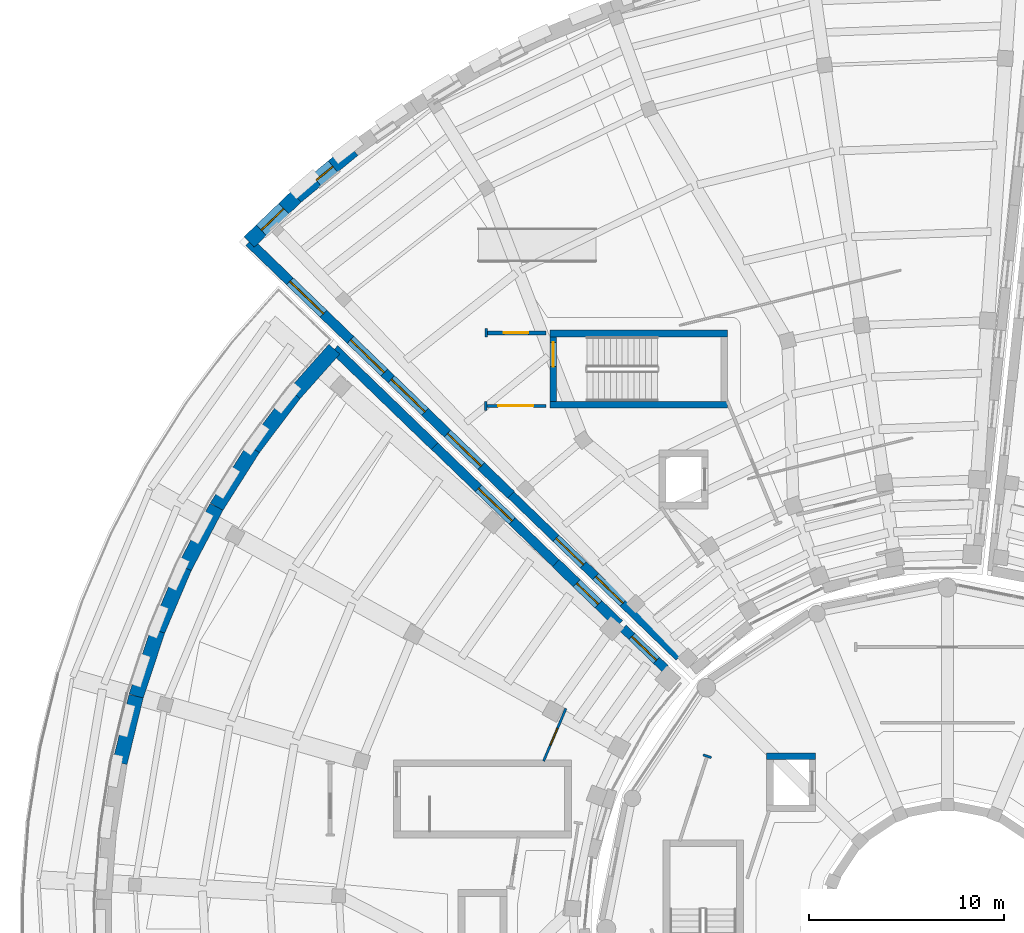
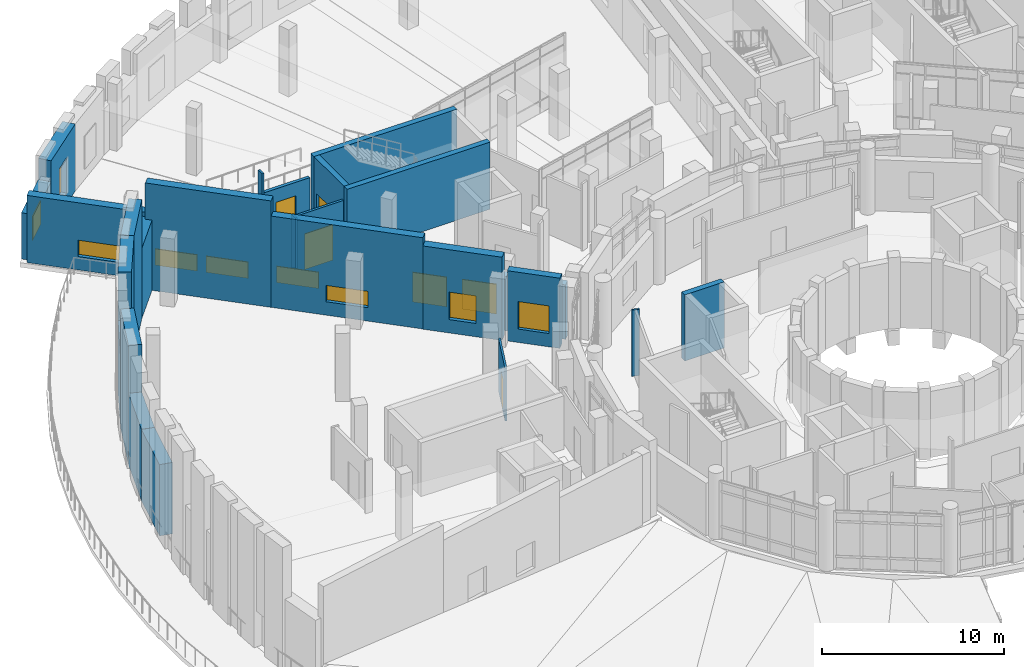
# One storey, part 54 of 75: 25 walls, 11 windows, 4 doors, 15 openings.
"""IFC4 building model written with IfcOpenShell, lengths in metres."""

from ifc_helpers import new_model, si_unit, direction, frame, frame_2d, origin, place, context, subcontext, project, spatial, rectangle, extrude, material, layer, layer_set, type_object, element, fill, save


model = new_model("IFC4")

# Units and contexts
model_context = context("Model", 3, precision=1e-05, world=origin(), true_north=direction((0.0, 1.0)))
body_context = subcontext(model_context, "Body", "Model", "MODEL_VIEW")
ifc_project = project(units=[si_unit("LENGTHUNIT", "METRE"), si_unit("AREAUNIT", "SQUARE_METRE"), si_unit("VOLUMEUNIT", "CUBIC_METRE"), si_unit("PLANEANGLEUNIT", "RADIAN"), si_unit("MASSUNIT", "GRAM", prefix="KILO")], contexts=[model_context])

# Site, building, storey
site_placement = place(None, origin())
site = spatial("IfcSite", under=ifc_project, at=site_placement, CompositionType="ELEMENT")
building_placement = place(site_placement, origin())
building = spatial("IfcBuilding", under=site, at=building_placement, Name="Soyqirgoq Riverine Aquarium", CompositionType="ELEMENT")
storey_placement = place(building_placement, frame((0.0, 0.0, 10.199951171875)))
storey = spatial("IfcBuildingStorey", under=building, at=storey_placement, Name="L03", CompositionType="ELEMENT", Elevation=10.199951171875)

# Walls
ifc_material_1 = material(Name="Concrete C40/50", Category="concrete")
ifc_layer_1 = layer(ifc_material_1, 0.35009765625)
ifc_layer_set_1 = layer_set([ifc_layer_1], Name="Concrete C40/50")
wall_type_1 = type_object("IfcWallType", Name="CoreShearWall_350_C40", PredefinedType="SHEAR", material=ifc_layer_set_1)
wall_1_placement = place(storey_placement, frame((49.2548828125, 65.830078125, 0.0), z_axis=(0.0, 0.0, 1.0), x_axis=(-1.0, 0.0, 0.0)))
element("IfcWall", 1, at=wall_1_placement, inside=storey, type_object=wall_type_1, Name="Lift PL-1 Shaft Wall L03 3", PredefinedType="SHEAR", context=body_context, shape_type="SweptSolid", body=[
    extrude(rectangle(XDim=2.509765625, YDim=0.35009765625, at=frame_2d((1.2548828125, 0.0))), origin(), (0.0, 0.0, 1.0), 4.449951171875),
])
for number, where, z_axis, x_axis, name in (
    (2, (35.64990234375, 83.824951171875, 0.0), (0.0, 0.0, 1.0), (1.0, 0.0, 0.0), "CORE-4 L03 Stair Core Shear Wall SIDE1"),
    (3, (44.75, 87.47509765625, 0.0), (0.0, 0.0, 1.0), (-1.0, 0.0, 0.0), "CORE-4 L03 Stair Core Shear Wall SIDE2"),
):
    element("IfcWall", number, at=place(storey_placement, frame(where, z_axis=z_axis, x_axis=x_axis)), inside=storey, type_object=wall_type_1, Name=name, PredefinedType="SHEAR", context=body_context, shape_type="SweptSolid", body=[
        extrude(rectangle(XDim=9.10009765625, YDim=0.35009765625, at=frame_2d((4.550048828125, 0.0))), origin(), (0.0, 0.0, 1.0), 4.52001953125),
    ])

# Wall, opening, door
wall_2_placement = place(storey_placement, frame((35.824951171875, 87.300048828125, 0.0), z_axis=(0.0, 0.0, 1.0), x_axis=(0.0, -1.0, 0.0)))
wall_2 = element("IfcWall", 4, at=wall_2_placement, inside=storey, type_object=wall_type_1, Name="CORE-4 L03 Stair Core Shear Wall FRONT", PredefinedType="SHEAR", context=body_context, shape_type="SweptSolid", body=[
    extrude(rectangle(XDim=3.300048828125, YDim=0.35009765625, at=frame_2d((1.64990234375, 0.0))), origin(), (0.0, 0.0, 1.0), 4.52001953125),
])
opening_1_placement = place(wall_2_placement, frame((0.280029296875, 0.0, 0.0)))
opening_1 = element("IfcOpeningElement", 5, at=opening_1_placement, cuts=wall_2, Name="Opening FD-01", PredefinedType="OPENING", context=body_context, shape_type="SweptSolid", body=[
    extrude(rectangle(XDim=1.25, YDim=2.199951171875, at=frame_2d((0.625, 1.10009765625))), frame((0.0, 0.18505859375, 0.0), z_axis=(0.0, -1.0, 0.0), x_axis=(1.0, 0.0, 0.0)), (0.0, 0.0, 1.0), 0.3701171875),
])
ifc_material_2 = material(Name="Galvanised steel fire-resisting stair door", Category="steel")
door_type_1 = type_object("IfcDoorType", Name="StairFireDoor_1250x2200_EI90", OperationType="NOTDEFINED", PredefinedType="DOOR", material=ifc_material_2)
door_1_placement = place(opening_1_placement, origin())
door_1 = element("IfcDoor", 6, at=door_1_placement, inside=storey, type_object=door_type_1, Name="DR-ST-4-L03 ST-4 L03 Fire-Rated Stairwell Door", OperationType="SINGLE_SWING_RIGHT", OverallHeight=2.199951171875, OverallWidth=1.25, PredefinedType="DOOR", context=body_context, shape_type="SweptSolid", body=[
    extrude(rectangle(XDim=1.25, YDim=2.199951171875, at=frame_2d((0.625, 1.10009765625))), frame((0.0, 0.02490234375, 0.0), z_axis=(0.0, -1.0, 0.0), x_axis=(1.0, 0.0, 0.0)), (0.0, 0.0, 1.0), 0.050048828125),
])
fill(opening_1, door_1)

# Wall
ifc_material_3 = material(Name="Lightweight steel-stud gypsum partition", Category="steel")
ifc_layer_2 = layer(ifc_material_3, 0.1201171875)
ifc_layer_set_2 = layer_set([ifc_layer_2], Name="Lightweight steel-stud gypsum partition")
wall_type_2 = type_object("IfcWallType", Name="PartitionWall_120_Std", PredefinedType="PARTITIONING", material=ifc_layer_set_2)
wall_3_placement = place(storey_placement, frame((43.916015625, 65.7646484375, 0.0), z_axis=(0.0, 0.0, 1.0), x_axis=(-0.951042223598, 0.309060979314, 0.0)))
element("IfcWall", 7, at=wall_3_placement, inside=storey, type_object=wall_type_2, Name="V1 L03 Jamb Return Pier", PredefinedType="PARTITIONING", context=body_context, shape_type="SweptSolid", body=[
    extrude(rectangle(XDim=0.43994140625, YDim=0.1201171875, at=frame_2d((0.219970703125, 0.0))), origin(), (0.0, 0.0, 1.0), 4.449951171875),
])

# Wall, opening, door
wall_4_placement = place(storey_placement, frame((36.47119140625, 68.27490234375, 0.0), z_axis=(0.0, 0.0, 1.0), x_axis=(-0.39080089657, -0.920475235539, 0.0)))
wall_4 = element("IfcWall", 8, at=wall_4_placement, inside=storey, type_object=wall_type_2, Name="V3 Gallery Circulation Corridor Partition Wall", PredefinedType="PARTITIONING", context=body_context, shape_type="SweptSolid", body=[
    extrude(rectangle(XDim=2.921875, YDim=0.1201171875, at=frame_2d((1.4609375, 0.0))), origin(), (0.0, 0.0, 1.0), 3.550048828125),
])
opening_2_placement = place(wall_4_placement, frame((1.094970703125, 0.0, 0.0)))
opening_2 = element("IfcOpeningElement", 9, at=opening_2_placement, cuts=wall_4, Name="Opening ID-06", PredefinedType="OPENING", context=body_context, shape_type="SweptSolid", body=[
    extrude(rectangle(XDim=0.949951171875, YDim=2.199951171875, at=frame_2d((0.47509765625, 1.10009765625))), frame((0.0, 0.070068359375, 0.0), z_axis=(0.0, -1.0, 0.0), x_axis=(1.0, 0.0, 0.0)), (0.0, 0.0, 1.0), 0.14013671875),
])
ifc_material_4 = material(Name="Moisture-resistant HPL washroom door", Category="wood")
door_type_2 = type_object("IfcDoorType", Name="WCDoor_950x2200", OperationType="NOTDEFINED", PredefinedType="DOOR", material=ifc_material_4)
door_2_placement = place(opening_2_placement, origin())
door_2 = element("IfcDoor", 10, at=door_2_placement, inside=storey, type_object=door_type_2, Name="IDR-V3-L03-0102 Conservation Media Cinema Access Door", OperationType="SINGLE_SWING_RIGHT", OverallHeight=2.199951171875, OverallWidth=0.949951171875, PredefinedType="DOOR", context=body_context, shape_type="SweptSolid", body=[
    extrude(rectangle(XDim=0.949951171875, YDim=2.199951171875, at=frame_2d((0.47509765625, 1.10009765625))), frame((0.0, 0.02490234375, 0.0), z_axis=(0.0, -1.0, 0.0), x_axis=(1.0, 0.0, 0.0)), (0.0, 0.0, 1.0), 0.050048828125),
])
fill(opening_2, door_2)

# Walls
wall_5_placement = place(storey_placement, frame((32.39990234375, 87.719970703125, 0.0), z_axis=(0.0, 0.0, 1.0), x_axis=(0.0, -1.0, 0.0)))
element("IfcWall", 11, at=wall_5_placement, inside=storey, type_object=wall_type_2, Name="V4 L03 Jamb Return Pier", PredefinedType="PARTITIONING", context=body_context, shape_type="SweptSolid", body=[
    extrude(rectangle(XDim=0.43994140625, YDim=0.1201171875, at=frame_2d((0.219970703125, 0.0))), origin(), (0.0, 0.0, 1.0), 4.52001953125),
])
wall_6_placement = place(storey_placement, frame((32.360107421875, 83.97998046875, 0.0), z_axis=(0.0, 0.0, 1.0), x_axis=(0.0, -1.0, 0.0)))
element("IfcWall", 12, at=wall_6_placement, inside=storey, type_object=wall_type_2, Name="V4 L03 Jamb Return Pier", PredefinedType="PARTITIONING", context=body_context, shape_type="SweptSolid", body=[
    extrude(rectangle(XDim=0.43994140625, YDim=0.1201171875, at=frame_2d((0.219970703125, 0.0))), origin(), (0.0, 0.0, 1.0), 3.830078125),
])

# Wall, opening, door
ifc_material_5 = material(Name="Acoustic mineral-wool twin-stud partition", Category="gypsum")
ifc_layer_3 = layer(ifc_material_5, 0.14990234375)
ifc_layer_set_3 = layer_set([ifc_layer_3], Name="Acoustic mineral-wool twin-stud partition")
wall_type_3 = type_object("IfcWallType", Name="PartitionWall_150_Acoustic", PredefinedType="PARTITIONING", material=ifc_layer_set_3)
wall_7_placement = place(storey_placement, frame((35.449951171875, 83.760009765625, 0.0), z_axis=(0.0, 0.0, 1.0), x_axis=(-1.0, 0.0, 0.0)))
wall_7 = element("IfcWall", 13, at=wall_7_placement, inside=storey, type_object=wall_type_3, Name="Jellyfish Gallery Partition Wall", PredefinedType="PARTITIONING", context=body_context, shape_type="SweptSolid", body=[
    extrude(rectangle(XDim=3.08984375, YDim=0.14990234375, at=frame_2d((1.544921875, 0.0))), origin(), (0.0, 0.0, 1.0), 3.830078125),
])
opening_3_placement = place(wall_7_placement, frame((0.64501953125, 0.0, 0.0)))
opening_3 = element("IfcOpeningElement", 14, at=opening_3_placement, cuts=wall_7, Name="Opening ID-01", PredefinedType="OPENING", context=body_context, shape_type="SweptSolid", body=[
    extrude(rectangle(XDim=1.800048828125, YDim=2.39990234375, at=frame_2d((0.89990234375, 1.199951171875))), frame((0.0, 0.0849609375, 0.0), z_axis=(0.0, -1.0, 0.0), x_axis=(1.0, 0.0, 0.0)), (0.0, 0.0, 1.0), 0.169921875),
])
ifc_material_6 = material(Name="Acoustic timber-framed glazed gallery double door", Category="wood")
door_type_3 = type_object("IfcDoorType", Name="GalleryDoubleDoor_1800x2400", OperationType="DOUBLE_DOOR_SINGLE_SWING", PredefinedType="DOOR", material=ifc_material_6)
door_3_placement = place(opening_3_placement, origin())
door_3 = element("IfcDoor", 15, at=door_3_placement, inside=storey, type_object=door_type_3, Name="IDR-V4-L03-0126 Jellyfish Gallery Door", OperationType="DOUBLE_DOOR_SINGLE_SWING", OverallHeight=2.39990234375, OverallWidth=1.800048828125, PredefinedType="DOOR", context=body_context, shape_type="SweptSolid", body=[
    extrude(rectangle(XDim=1.800048828125, YDim=2.39990234375, at=frame_2d((0.89990234375, 1.199951171875))), frame((0.0, 0.02490234375, 0.0), z_axis=(0.0, -1.0, 0.0), x_axis=(1.0, 0.0, 0.0)), (0.0, 0.0, 1.0), 0.050048828125),
])
fill(opening_3, door_3)

ifc_material_7 = material(Name="Fire-rated calcium silicate twin-stud partition", Category="gypsum")
ifc_layer_4 = layer(ifc_material_7, 0.199951171875)
ifc_layer_set_4 = layer_set([ifc_layer_4], Name="Fire-rated calcium silicate twin-stud partition")
wall_type_4 = type_object("IfcWallType", Name="PartitionWall_200_EI90", PredefinedType="PARTITIONING", material=ifc_layer_set_4)
wall_8_placement = place(storey_placement, frame((35.449951171875, 87.5, 0.0), z_axis=(0.0, 0.0, 1.0), x_axis=(-1.0, 0.0, 0.0)))
wall_8 = element("IfcWall", 16, at=wall_8_placement, inside=storey, type_object=wall_type_4, Name="Lift and Stair Lobby ST-4 Fire Enclosure Wall", PredefinedType="PARTITIONING", context=body_context, shape_type="SweptSolid", body=[
    extrude(rectangle(XDim=3.050048828125, YDim=0.199951171875, at=frame_2d((1.52490234375, 0.0))), origin(), (0.0, 0.0, 1.0), 3.110107421875),
])
opening_4_placement = place(wall_8_placement, frame((0.89990234375, 0.0, 0.0)))
opening_4 = element("IfcOpeningElement", 17, at=opening_4_placement, cuts=wall_8, Name="Opening FD-01", PredefinedType="OPENING", context=body_context, shape_type="SweptSolid", body=[
    extrude(rectangle(XDim=1.25, YDim=2.199951171875, at=frame_2d((0.625, 1.10009765625))), frame((0.0, 0.10986328125, 0.0), z_axis=(0.0, -1.0, 0.0), x_axis=(1.0, 0.0, 0.0)), (0.0, 0.0, 1.0), 0.219970703125),
])
door_4_placement = place(opening_4_placement, origin())
door_4 = element("IfcDoor", 18, at=door_4_placement, inside=storey, type_object=door_type_1, Name="IDR-V4-L03-0122 Lift and Stair Lobby ST-4 Egress Fire Door", OperationType="SINGLE_SWING_LEFT", OverallHeight=2.199951171875, OverallWidth=1.25, PredefinedType="DOOR", context=body_context, shape_type="SweptSolid", body=[
    extrude(rectangle(XDim=1.25, YDim=2.199951171875, at=frame_2d((0.625, 1.10009765625))), frame((0.0, 0.02490234375, 0.0), z_axis=(0.0, -1.0, 0.0), x_axis=(1.0, 0.0, 0.0)), (0.0, 0.0, 1.0), 0.050048828125),
])
fill(opening_4, door_4)

# Wall, opening, window
ifc_material_8 = material(Name="Honed travertine limestone cavity wall", Category="masonry")
ifc_layer_5 = layer(ifc_material_8, 0.449951171875)
ifc_layer_set_5 = layer_set([ifc_layer_5], Name="Honed travertine limestone cavity wall")
wall_type_5 = type_object("IfcWallType", Name="TravertineCavityWall_450", PredefinedType="SOLIDWALL", material=ifc_layer_set_5)
wall_9_placement = place(storey_placement, frame((39.402587890625, 72.388671875, 0.0), z_axis=(0.0, 0.0, 1.0), x_axis=(0.719339497973, -0.694658683568, 0.0)))
wall_9 = element("IfcWall", 19, at=wall_9_placement, inside=storey, type_object=wall_type_5, Name="V3 L03 Exterior Travertine Wall 0159", PredefinedType="SOLIDWALL", context=body_context, shape_type="SweptSolid", body=[
    extrude(rectangle(XDim=2.9873046875, YDim=0.449951171875, at=frame_2d((1.49365234375, 0.0))), origin(), (0.0, 0.0, 1.0), 4.72314453125),
])
opening_5_placement = place(wall_9_placement, frame((0.61865234375, 0.0, 0.89990234375)))
opening_5 = element("IfcOpeningElement", 20, at=opening_5_placement, cuts=wall_9, Name="Opening WN-19", PredefinedType="OPENING", context=body_context, shape_type="SweptSolid", body=[
    extrude(rectangle(XDim=1.75, YDim=1.85009765625, at=frame_2d((0.875, 0.925048828125))), frame((0.0, 0.23486328125, 0.0), z_axis=(0.0, -1.0, 0.0), x_axis=(1.0, 0.0, 0.0)), (0.0, 0.0, 1.0), 0.469970703125),
])
ifc_material_9 = material(Name="Thermally broken aluminium triple low-E window", Category="aluminium")
window_type_1 = type_object("IfcWindowType", Name="Win_Office_1750x1850", PartitioningType="DOUBLE_PANEL_VERTICAL", PredefinedType="WINDOW", material=ifc_material_9)
window_1_placement = place(opening_5_placement, origin())
window_1 = element("IfcWindow", 21, at=window_1_placement, inside=storey, type_object=window_type_1, Name="V3 L03 Facade Window 0101", OverallHeight=1.85009765625, OverallWidth=1.75, PartitioningType="DOUBLE_PANEL_VERTICAL", PredefinedType="WINDOW", context=body_context, shape_type="SweptSolid", body=[
    extrude(rectangle(XDim=1.75, YDim=1.85009765625, at=frame_2d((0.875, 0.925048828125))), frame((0.0, 0.030029296875, 0.0), z_axis=(0.0, -1.0, 0.0), x_axis=(1.0, 0.0, 0.0)), (0.0, 0.0, 1.0), 0.06005859375),
])
fill(opening_5, window_1)

# Wall, openings, windows
wall_10_placement = place(storey_placement, frame((42.262451171875, 70.90576171875, 0.0), z_axis=(0.0, 0.0, 1.0), x_axis=(-0.719350100281, 0.694647704398, 0.0)))
wall_10 = element("IfcWall", 22, at=wall_10_placement, inside=storey, type_object=wall_type_5, Name="V4 L03 Exterior Travertine Wall 0200", PredefinedType="SOLIDWALL", context=body_context, shape_type="SweptSolid", body=[
    extrude(rectangle(XDim=11.958740234375, YDim=0.449951171875, at=frame_2d((5.9794921875, 0.0))), origin(), (0.0, 0.0, 1.0), 3.66015625),
])
opening_6_placement = place(wall_10_placement, frame((3.984375, 0.0, 0.89990234375)))
opening_6 = element("IfcOpeningElement", 23, at=opening_6_placement, cuts=wall_10, Name="Opening WN-14", PredefinedType="OPENING", context=body_context, shape_type="SweptSolid", body=[
    extrude(rectangle(XDim=1.949951171875, YDim=2.0, at=frame_2d((0.97509765625, 1.0))), frame((0.0, 0.23486328125, 0.0), z_axis=(0.0, -1.0, 0.0), x_axis=(1.0, 0.0, 0.0)), (0.0, 0.0, 1.0), 0.469970703125),
])
opening_7_placement = place(wall_10_placement, frame((6.804443359375, 0.0, 0.89990234375)))
opening_7 = element("IfcOpeningElement", 24, at=opening_7_placement, cuts=wall_10, Name="Opening WN-14", PredefinedType="OPENING", context=body_context, shape_type="SweptSolid", body=[
    extrude(rectangle(XDim=1.949951171875, YDim=2.0, at=frame_2d((0.97509765625, 1.0))), frame((0.0, 0.23486328125, 0.0), z_axis=(0.0, -1.0, 0.0), x_axis=(1.0, 0.0, 0.0)), (0.0, 0.0, 1.0), 0.469970703125),
])
ifc_material_10 = material(Name="Thermally broken aluminium triple low-E window", Category="aluminium")
window_type_2 = type_object("IfcWindowType", Name="Win_Gallery_1950x2000", PartitioningType="DOUBLE_PANEL_VERTICAL", PredefinedType="WINDOW", material=ifc_material_10)
window_2_placement = place(opening_6_placement, origin())
window_2 = element("IfcWindow", 25, at=window_2_placement, inside=storey, type_object=window_type_2, Name="V4 L03 Facade Window 0147", OverallHeight=2.0, OverallWidth=1.949951171875, PartitioningType="DOUBLE_PANEL_VERTICAL", PredefinedType="WINDOW", context=body_context, shape_type="SweptSolid", body=[
    extrude(rectangle(XDim=1.949951171875, YDim=2.0, at=frame_2d((0.97509765625, 1.0))), frame((0.0, 0.030029296875, 0.0), z_axis=(0.0, -1.0, 0.0), x_axis=(1.0, 0.0, 0.0)), (0.0, 0.0, 1.0), 0.06005859375),
])
fill(opening_6, window_2)
window_3_placement = place(opening_7_placement, origin())
window_3 = element("IfcWindow", 26, at=window_3_placement, inside=storey, type_object=window_type_2, Name="V4 L03 Facade Window 0148", OverallHeight=2.0, OverallWidth=1.949951171875, PartitioningType="DOUBLE_PANEL_VERTICAL", PredefinedType="WINDOW", context=body_context, shape_type="SweptSolid", body=[
    extrude(rectangle(XDim=1.949951171875, YDim=2.0, at=frame_2d((0.97509765625, 1.0))), frame((0.0, 0.030029296875, 0.0), z_axis=(0.0, -1.0, 0.0), x_axis=(1.0, 0.0, 0.0)), (0.0, 0.0, 1.0), 0.06005859375),
])
fill(opening_7, window_3)

# Wall, opening, window
ifc_material_11 = material(Name="Honed travertine limestone cavity wall", Category="masonry")
ifc_layer_6 = layer(ifc_material_11, 0.47998046875)
ifc_layer_set_6 = layer_set([ifc_layer_6], Name="Honed travertine limestone cavity wall")
wall_type_6 = type_object("IfcWallType", Name="TravertineCavityWall_480", PredefinedType="SOLIDWALL", material=ifc_layer_set_6)
wall_11_placement = place(storey_placement, frame((29.756591796875, 81.70361328125, 0.0), z_axis=(0.0, 0.0, 1.0), x_axis=(0.719333137406, -0.694665270062, 0.0)))
wall_11 = element("IfcWall", 27, at=wall_11_placement, inside=storey, type_object=wall_type_6, Name="V3 L03 Exterior Travertine Wall 0157", PredefinedType="SOLIDWALL", context=body_context, shape_type="SweptSolid", body=[
    extrude(rectangle(XDim=8.620361328125, YDim=0.47998046875, at=frame_2d((4.31005859375, 0.0))), origin(), (0.0, 0.0, 1.0), 6.13623046875),
])
opening_8_placement = place(wall_11_placement, frame((3.110107421875, 0.0, 0.89990234375)))
opening_8 = element("IfcOpeningElement", 28, at=opening_8_placement, cuts=wall_11, Name="Opening WN-10", PredefinedType="OPENING", context=body_context, shape_type="SweptSolid", body=[
    extrude(rectangle(XDim=2.39990234375, YDim=1.10009765625, at=frame_2d((1.199951171875, 0.550048828125))), frame((0.0, 0.25, 0.0), z_axis=(0.0, -1.0, 0.0), x_axis=(1.0, 0.0, 0.0)), (0.0, 0.0, 1.0), 0.5),
])
ifc_material_12 = material(Name="Thermally broken aluminium triple low-E window", Category="aluminium")
window_type_3 = type_object("IfcWindowType", Name="Win_Clerestory_2400x1100", PartitioningType="DOUBLE_PANEL_HORIZONTAL", PredefinedType="LIGHTDOME", material=ifc_material_12)
window_4_placement = place(opening_8_placement, origin())
window_4 = element("IfcWindow", 29, at=window_4_placement, inside=storey, type_object=window_type_3, Name="V3 L03 Facade Window 0099", OverallHeight=1.10009765625, OverallWidth=2.39990234375, PartitioningType="DOUBLE_PANEL_HORIZONTAL", PredefinedType="LIGHTDOME", context=body_context, shape_type="SweptSolid", body=[
    extrude(rectangle(XDim=2.39990234375, YDim=1.10009765625, at=frame_2d((1.199951171875, 0.550048828125))), frame((0.0, 0.030029296875, 0.0), z_axis=(0.0, -1.0, 0.0), x_axis=(1.0, 0.0, 0.0)), (0.0, 0.0, 1.0), 0.06005859375),
])
fill(opening_8, window_4)

# Wall
ifc_material_13 = material(Name="Honed travertine limestone cavity wall", Category="masonry")
ifc_layer_7 = layer(ifc_material_13, 0.5)
ifc_layer_set_7 = layer_set([ifc_layer_7], Name="Honed travertine limestone cavity wall")
wall_type_7 = type_object("IfcWallType", Name="TravertineCavityWall_500", PredefinedType="SOLIDWALL", material=ifc_layer_set_7)
wall_12_placement = place(storey_placement, frame((24.61865234375, 86.6650390625, 0.0), z_axis=(0.0, 0.0, 1.0), x_axis=(0.719355518734, -0.694642093215, 0.0)))
element("IfcWall", 30, at=wall_12_placement, inside=storey, type_object=wall_type_7, Name="V3 L03 Exterior Travertine Wall 0156", PredefinedType="SOLIDWALL", context=body_context, shape_type="SweptSolid", body=[
    extrude(rectangle(XDim=7.142333984375, YDim=0.5, at=frame_2d((3.5712890625, 0.0))), origin(), (0.0, 0.0, 1.0), 7.15966796875),
])

# Wall, openings, windows
wall_13_placement = place(storey_placement, frame((33.659912109375, 79.212890625, 0.0), z_axis=(0.0, 0.0, 1.0), x_axis=(-0.719335980864, 0.694662325619, 0.0)))
wall_13 = element("IfcWall", 31, at=wall_13_placement, inside=storey, type_object=wall_type_7, Name="V4 L03 Exterior Travertine Wall 0201", PredefinedType="SOLIDWALL", context=body_context, shape_type="SweptSolid", body=[
    extrude(rectangle(XDim=18.6318359375, YDim=0.5, at=frame_2d((9.31591796875, 0.0))), origin(), (0.0, 0.0, 1.0), 4.52001953125),
])
opening_9_placement = place(wall_13_placement, frame((2.115966796875, 0.0, 0.89990234375)))
opening_9 = element("IfcOpeningElement", 32, at=opening_9_placement, cuts=wall_13, Name="Opening WN-10", PredefinedType="OPENING", context=body_context, shape_type="SweptSolid", body=[
    extrude(rectangle(XDim=2.39990234375, YDim=1.10009765625, at=frame_2d((1.199951171875, 0.550048828125))), frame((0.0, 0.260009765625, 0.0), z_axis=(0.0, -1.0, 0.0), x_axis=(1.0, 0.0, 0.0)), (0.0, 0.0, 1.0), 0.52001953125),
])
opening_10_placement = place(wall_13_placement, frame((6.115966796875, 0.0, 0.89990234375)))
opening_10 = element("IfcOpeningElement", 33, at=opening_10_placement, cuts=wall_13, Name="Opening WN-10", PredefinedType="OPENING", context=body_context, shape_type="SweptSolid", body=[
    extrude(rectangle(XDim=2.39990234375, YDim=1.10009765625, at=frame_2d((1.199951171875, 0.550048828125))), frame((0.0, 0.260009765625, 0.0), z_axis=(0.0, -1.0, 0.0), x_axis=(1.0, 0.0, 0.0)), (0.0, 0.0, 1.0), 0.52001953125),
])
opening_11_placement = place(wall_13_placement, frame((9.01611328125, 0.0, 0.89990234375)))
opening_11 = element("IfcOpeningElement", 34, at=opening_11_placement, cuts=wall_13, Name="Opening WN-10", PredefinedType="OPENING", context=body_context, shape_type="SweptSolid", body=[
    extrude(rectangle(XDim=2.39990234375, YDim=1.10009765625, at=frame_2d((1.199951171875, 0.550048828125))), frame((0.0, 0.260009765625, 0.0), z_axis=(0.0, -1.0, 0.0), x_axis=(1.0, 0.0, 0.0)), (0.0, 0.0, 1.0), 0.52001953125),
])
opening_12_placement = place(wall_13_placement, frame((13.3359375, 0.0, 0.89990234375)))
opening_12 = element("IfcOpeningElement", 35, at=opening_12_placement, cuts=wall_13, Name="Opening WN-10", PredefinedType="OPENING", context=body_context, shape_type="SweptSolid", body=[
    extrude(rectangle(XDim=2.39990234375, YDim=1.10009765625, at=frame_2d((1.199951171875, 0.550048828125))), frame((0.0, 0.260009765625, 0.0), z_axis=(0.0, -1.0, 0.0), x_axis=(1.0, 0.0, 0.0)), (0.0, 0.0, 1.0), 0.52001953125),
])
window_5_placement = place(opening_9_placement, origin())
window_5 = element("IfcWindow", 36, at=window_5_placement, inside=storey, type_object=window_type_3, Name="V4 L03 Facade Window 0149", OverallHeight=1.10009765625, OverallWidth=2.39990234375, PartitioningType="DOUBLE_PANEL_HORIZONTAL", PredefinedType="LIGHTDOME", context=body_context, shape_type="SweptSolid", body=[
    extrude(rectangle(XDim=2.39990234375, YDim=1.10009765625, at=frame_2d((1.199951171875, 0.550048828125))), frame((0.0, 0.030029296875, 0.0), z_axis=(0.0, -1.0, 0.0), x_axis=(1.0, 0.0, 0.0)), (0.0, 0.0, 1.0), 0.06005859375),
])
fill(opening_9, window_5)
window_6_placement = place(opening_10_placement, origin())
window_6 = element("IfcWindow", 37, at=window_6_placement, inside=storey, type_object=window_type_3, Name="V4 L03 Facade Window 0150", OverallHeight=1.10009765625, OverallWidth=2.39990234375, PartitioningType="DOUBLE_PANEL_HORIZONTAL", PredefinedType="LIGHTDOME", context=body_context, shape_type="SweptSolid", body=[
    extrude(rectangle(XDim=2.39990234375, YDim=1.10009765625, at=frame_2d((1.199951171875, 0.550048828125))), frame((0.0, 0.030029296875, 0.0), z_axis=(0.0, -1.0, 0.0), x_axis=(1.0, 0.0, 0.0)), (0.0, 0.0, 1.0), 0.06005859375),
])
fill(opening_10, window_6)
window_7_placement = place(opening_11_placement, origin())
window_7 = element("IfcWindow", 38, at=window_7_placement, inside=storey, type_object=window_type_3, Name="V4 L03 Facade Window 0151", OverallHeight=1.10009765625, OverallWidth=2.39990234375, PartitioningType="DOUBLE_PANEL_HORIZONTAL", PredefinedType="LIGHTDOME", context=body_context, shape_type="SweptSolid", body=[
    extrude(rectangle(XDim=2.39990234375, YDim=1.10009765625, at=frame_2d((1.199951171875, 0.550048828125))), frame((0.0, 0.030029296875, 0.0), z_axis=(0.0, -1.0, 0.0), x_axis=(1.0, 0.0, 0.0)), (0.0, 0.0, 1.0), 0.06005859375),
])
fill(opening_11, window_7)
window_8_placement = place(opening_12_placement, origin())
window_8 = element("IfcWindow", 39, at=window_8_placement, inside=storey, type_object=window_type_3, Name="V4 L03 Facade Window 0152", OverallHeight=1.10009765625, OverallWidth=2.39990234375, PartitioningType="DOUBLE_PANEL_HORIZONTAL", PredefinedType="LIGHTDOME", context=body_context, shape_type="SweptSolid", body=[
    extrude(rectangle(XDim=2.39990234375, YDim=1.10009765625, at=frame_2d((1.199951171875, 0.550048828125))), frame((0.0, 0.030029296875, 0.0), z_axis=(0.0, -1.0, 0.0), x_axis=(1.0, 0.0, 0.0)), (0.0, 0.0, 1.0), 0.06005859375),
])
fill(opening_12, window_8)

# Wall, opening, window
ifc_material_14 = material(Name="Honed travertine limestone cavity wall", Category="masonry")
ifc_layer_8 = layer(ifc_material_14, 0.52001953125)
ifc_layer_set_8 = layer_set([ifc_layer_8], Name="Honed travertine limestone cavity wall")
wall_type_8 = type_object("IfcWallType", Name="TravertineCavityWall_520", PredefinedType="SOLIDWALL", material=ifc_layer_set_8)
wall_14_placement = place(storey_placement, frame((35.95751953125, 75.71533203125, 0.0), z_axis=(0.0, 0.0, 1.0), x_axis=(0.719334191316, -0.694664178725, 0.0)))
wall_14 = element("IfcWall", 40, at=wall_14_placement, inside=storey, type_object=wall_type_8, Name="V3 L03 Exterior Travertine Wall 0158", PredefinedType="SOLIDWALL", context=body_context, shape_type="SweptSolid", body=[
    extrude(rectangle(XDim=4.502685546875, YDim=0.52001953125, at=frame_2d((2.25146484375, 0.0))), origin(), (0.0, 0.0, 1.0), 5.601806640625),
])
opening_13_placement = place(wall_14_placement, frame((1.4765625, 0.0, 0.89990234375)))
opening_13 = element("IfcOpeningElement", 41, at=opening_13_placement, cuts=wall_14, Name="Opening WN-18", PredefinedType="OPENING", context=body_context, shape_type="SweptSolid", body=[
    extrude(rectangle(XDim=1.550048828125, YDim=1.85009765625, at=frame_2d((0.77490234375, 0.925048828125))), frame((0.0, 0.27001953125, 0.0), z_axis=(0.0, -1.0, 0.0), x_axis=(1.0, 0.0, 0.0)), (0.0, 0.0, 1.0), 0.5400390625),
])
ifc_material_15 = material(Name="Thermally broken aluminium triple low-E window", Category="aluminium")
window_type_4 = type_object("IfcWindowType", Name="Win_Office_1550x1850", PartitioningType="DOUBLE_PANEL_VERTICAL", PredefinedType="WINDOW", material=ifc_material_15)
window_9_placement = place(opening_13_placement, origin())
window_9 = element("IfcWindow", 42, at=window_9_placement, inside=storey, type_object=window_type_4, Name="V3 L03 Facade Window 0100", OverallHeight=1.85009765625, OverallWidth=1.550048828125, PartitioningType="DOUBLE_PANEL_VERTICAL", PredefinedType="WINDOW", context=body_context, shape_type="SweptSolid", body=[
    extrude(rectangle(XDim=1.550048828125, YDim=1.85009765625, at=frame_2d((0.77490234375, 0.925048828125))), frame((0.0, 0.030029296875, 0.0), z_axis=(0.0, -1.0, 0.0), x_axis=(1.0, 0.0, 0.0)), (0.0, 0.0, 1.0), 0.06005859375),
])
fill(opening_13, window_9)

# Walls
ifc_material_16 = material(Name="Honed travertine limestone cavity wall", Category="masonry")
ifc_layer_9 = layer(ifc_material_16, 0.75)
ifc_layer_set_9 = layer_set([ifc_layer_9], Name="Honed travertine limestone cavity wall")
wall_type_9 = type_object("IfcWallType", Name="TravertineNicheWall_750", PredefinedType="SOLIDWALL", material=ifc_layer_set_9)
for number, where, z_axis, x_axis, name in (
    (43, (13.642578125, 65.489501953125, 0.0), (0.0, 0.0, 1.0), (0.236325013586, 0.971674064671, 0.0), "V3 L03 Exterior Travertine Wall 0149"),
    (44, (14.473876953125, 68.907470703125, 0.0), (0.0, 0.0, 1.0), (0.314540739399, 0.949243974571, 0.0), "V3 L03 Exterior Travertine Wall 0150"),
):
    element("IfcWall", number, at=place(storey_placement, frame(where, z_axis=z_axis, x_axis=x_axis)), inside=storey, type_object=wall_type_9, Name=name, PredefinedType="SOLIDWALL", context=body_context, shape_type="SweptSolid", body=[
        extrude(rectangle(XDim=3.517578125, YDim=0.75, at=frame_2d((1.7587890625, 0.0))), origin(), (0.0, 0.0, 1.0), 4.8017578125),
    ])
wall_15_placement = place(storey_placement, frame((15.580322265625, 72.24658203125, 0.0), z_axis=(0.0, 0.0, 1.0), x_axis=(0.390708484604, 0.920514464883, 0.0)))
element("IfcWall", 45, at=wall_15_placement, inside=storey, type_object=wall_type_9, Name="V3 L03 Exterior Travertine Wall 0151", PredefinedType="SOLIDWALL", context=body_context, shape_type="SweptSolid", body=[
    extrude(rectangle(XDim=3.517333984375, YDim=0.75, at=frame_2d((1.7587890625, 0.0))), origin(), (0.0, 0.0, 1.0), 8.009765625),
])
wall_16_placement = place(storey_placement, frame((16.95458984375, 75.484375, 0.0), z_axis=(0.0, 0.0, 1.0), x_axis=(0.464315581546, 0.885669826026, 0.0)))
element("IfcWall", 46, at=wall_16_placement, inside=storey, type_object=wall_type_9, Name="V3 L03 Exterior Travertine Wall 0152", PredefinedType="SOLIDWALL", context=body_context, shape_type="SweptSolid", body=[
    extrude(rectangle(XDim=3.517578125, YDim=0.75, at=frame_2d((1.7587890625, 0.0))), origin(), (0.0, 0.0, 1.0), 4.7529296875),
])
for number, where, z_axis, x_axis, name in (
    (47, (18.587890625, 78.599853515625, 0.0), (0.0, 0.0, 1.0), (0.534844011545, 0.844950817098, 0.0), "V3 L03 Exterior Travertine Wall 0153"),
    (48, (20.46923828125, 81.572021484375, 0.0), (0.0, 0.0, 1.0), (0.601808539935, 0.79864039546, 0.0), "V3 L03 Exterior Travertine Wall 0154"),
):
    element("IfcWall", number, at=place(storey_placement, frame(where, z_axis=z_axis, x_axis=x_axis)), inside=storey, type_object=wall_type_9, Name=name, PredefinedType="SOLIDWALL", context=body_context, shape_type="SweptSolid", body=[
        extrude(rectangle(XDim=3.517578125, YDim=0.75, at=frame_2d((1.7587890625, 0.0))), origin(), (0.0, 0.0, 1.0), 8.009765625),
    ])
wall_17_placement = place(storey_placement, frame((22.586181640625, 84.38134765625, 0.0), z_axis=(0.0, 0.0, 1.0), x_axis=(0.664824690631, 0.746999418157, 0.0)))
element("IfcWall", 49, at=wall_17_placement, inside=storey, type_object=wall_type_9, Name="V3 L03 Exterior Travertine Wall 0155", PredefinedType="SOLIDWALL", context=body_context, shape_type="SweptSolid", body=[
    extrude(rectangle(XDim=3.05712890625, YDim=0.75, at=frame_2d((1.528564453125, 0.0))), origin(), (0.0, 0.0, 1.0), 4.72314453125),
])

# Wall, opening, window
wall_18_placement = place(storey_placement, frame((20.25732421875, 92.15576171875, 0.0), z_axis=(0.0, 0.0, 1.0), x_axis=(0.721359497575, 0.692560809791, 0.0)))
wall_18 = element("IfcWall", 50, at=wall_18_placement, inside=storey, type_object=wall_type_9, Name="V4 L03 Exterior Travertine Wall 0202", PredefinedType="SOLIDWALL", context=body_context, shape_type="SweptSolid", body=[
    extrude(rectangle(XDim=3.33154296875, YDim=0.75, at=frame_2d((1.665771484375, 0.0))), origin(), (0.0, 0.0, 1.0), 3.110107421875),
])
opening_14_placement = place(wall_18_placement, frame((0.86572265625, 0.0, 0.75)))
opening_14 = element("IfcOpeningElement", 51, at=opening_14_placement, cuts=wall_18, Name="Opening WN-06", PredefinedType="OPENING", context=body_context, shape_type="SweptSolid", body=[
    extrude(rectangle(XDim=1.60009765625, YDim=1.60009765625, at=frame_2d((0.800048828125, 0.800048828125))), frame((0.0, 0.385009765625, 0.0), z_axis=(0.0, -1.0, 0.0), x_axis=(1.0, 0.0, 0.0)), (0.0, 0.0, 1.0), 0.77001953125),
])
ifc_material_17 = material(Name="Thermally broken aluminium triple low-E window", Category="aluminium")
window_type_5 = type_object("IfcWindowType", Name="Win_Lab_1600x1600", PartitioningType="DOUBLE_PANEL_VERTICAL", PredefinedType="WINDOW", material=ifc_material_17)
window_10_placement = place(opening_14_placement, origin())
window_10 = element("IfcWindow", 52, at=window_10_placement, inside=storey, type_object=window_type_5, Name="V4 L03 Facade Window 0153", OverallHeight=1.60009765625, OverallWidth=1.60009765625, PartitioningType="DOUBLE_PANEL_VERTICAL", PredefinedType="WINDOW", context=body_context, shape_type="SweptSolid", body=[
    extrude(rectangle(XDim=1.60009765625, YDim=1.60009765625, at=frame_2d((0.800048828125, 0.800048828125))), frame((0.0, 0.030029296875, 0.0), z_axis=(0.0, -1.0, 0.0), x_axis=(1.0, 0.0, 0.0)), (0.0, 0.0, 1.0), 0.06005859375),
])
fill(opening_14, window_10)

wall_19_placement = place(storey_placement, frame((22.66064453125, 94.463134765625, 0.0), z_axis=(0.0, 0.0, 1.0), x_axis=(0.771645805476, 0.636052474951, 0.0)))
wall_19 = element("IfcWall", 53, at=wall_19_placement, inside=storey, type_object=wall_type_9, Name="V4 L03 Exterior Travertine Wall 0203", PredefinedType="SOLIDWALL", context=body_context, shape_type="SweptSolid", body=[
    extrude(rectangle(XDim=3.7919921875, YDim=0.75, at=frame_2d((1.89599609375, 0.0))), origin(), (0.0, 0.0, 1.0), 4.52001953125),
])
opening_15_placement = place(wall_19_placement, frame((1.345947265625, 0.0, 0.75)))
opening_15 = element("IfcOpeningElement", 54, at=opening_15_placement, cuts=wall_19, Name="Opening WN-02", PredefinedType="OPENING", context=body_context, shape_type="SweptSolid", body=[
    extrude(rectangle(XDim=1.10009765625, YDim=2.39990234375, at=frame_2d((0.550048828125, 1.199951171875))), frame((0.0, 0.385009765625, 0.0), z_axis=(0.0, -1.0, 0.0), x_axis=(1.0, 0.0, 0.0)), (0.0, 0.0, 1.0), 0.77001953125),
])
ifc_material_18 = material(Name="Thermally broken aluminium triple low-E window", Category="aluminium")
window_type_6 = type_object("IfcWindowType", Name="Win_Niche_1100x2400", PartitioningType="SINGLE_PANEL", PredefinedType="WINDOW", material=ifc_material_18)
window_11_placement = place(opening_15_placement, origin())
window_11 = element("IfcWindow", 55, at=window_11_placement, inside=storey, type_object=window_type_6, Name="V4 L03 Facade Window 0154", OverallHeight=2.39990234375, OverallWidth=1.10009765625, PartitioningType="SINGLE_PANEL", PredefinedType="WINDOW", context=body_context, shape_type="SweptSolid", body=[
    extrude(rectangle(XDim=1.10009765625, YDim=2.39990234375, at=frame_2d((0.550048828125, 1.199951171875))), frame((0.0, 0.030029296875, 0.0), z_axis=(0.0, -1.0, 0.0), x_axis=(1.0, 0.0, 0.0)), (0.0, 0.0, 1.0), 0.06005859375),
])
fill(opening_15, window_11)

save(model, "model.ifc")
